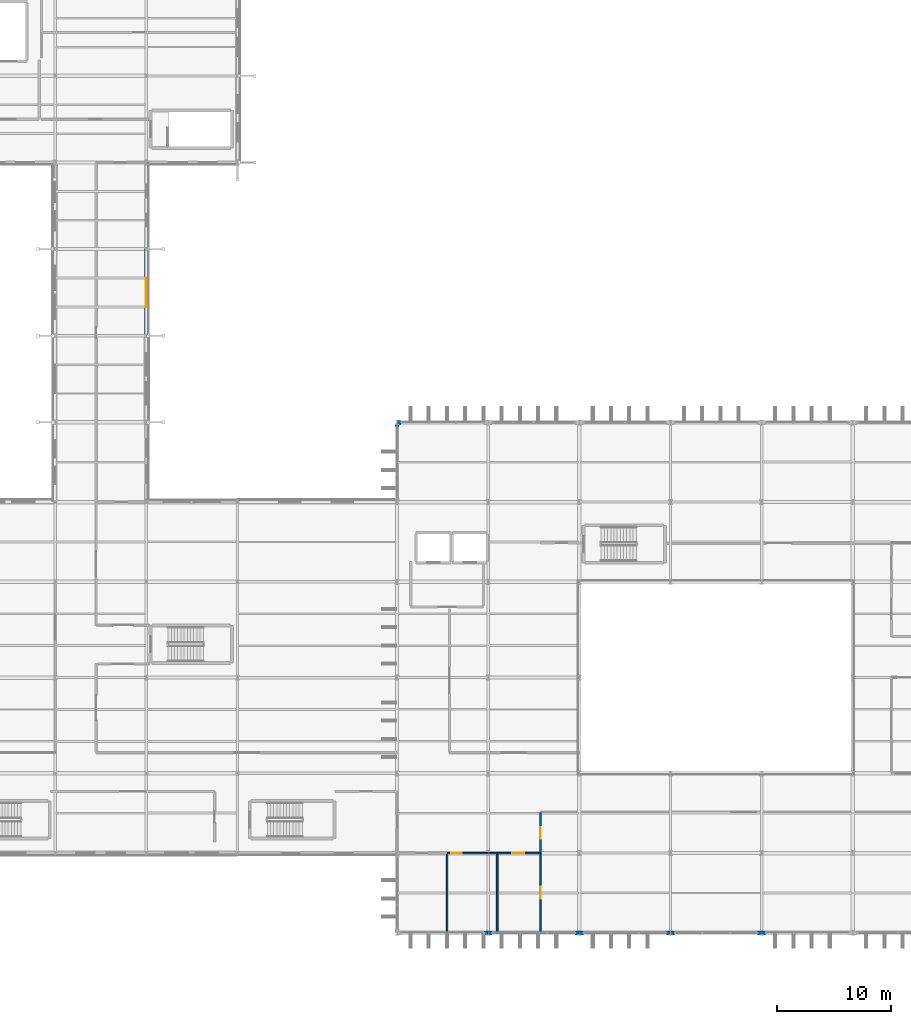
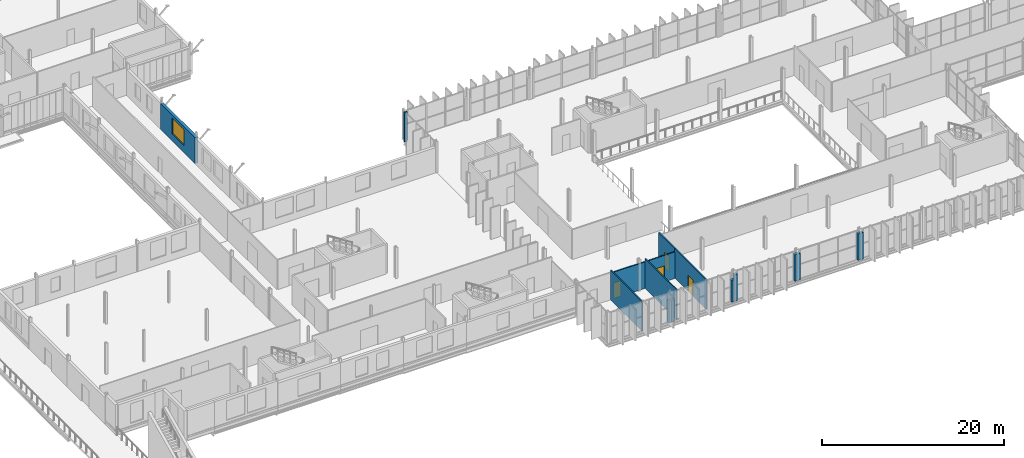
# One storey, part 81 of 101: 17 walls, 4 doors, 1 window, 5 openings.
"""IFC4 building model written with IfcOpenShell, lengths in metres."""

from ifc_helpers import new_model, si_unit, direction, frame, frame_2d, origin, place, context, subcontext, project, spatial, rectangle, extrude, material, layer, layer_set, type_object, element, fill, save


model = new_model("IFC4")

# Units and contexts
model_context = context("Model", 3, precision=1e-05, world=origin(), true_north=direction((0.0, 1.0)))
body_context = subcontext(model_context, "Body", "Model", "MODEL_VIEW")
ifc_project = project(units=[si_unit("LENGTHUNIT", "METRE"), si_unit("AREAUNIT", "SQUARE_METRE"), si_unit("VOLUMEUNIT", "CUBIC_METRE"), si_unit("PLANEANGLEUNIT", "RADIAN"), si_unit("MASSUNIT", "GRAM", prefix="KILO")], contexts=[model_context])

# Site, building, storey
site_placement = place(None, origin())
site = spatial("IfcSite", under=ifc_project, at=site_placement, CompositionType="ELEMENT")
building_placement = place(site_placement, origin())
building = spatial("IfcBuilding", under=site, at=building_placement, Name="Vekula Escarpment Museum", CompositionType="ELEMENT")
storey_placement = place(building_placement, frame((0.0, 0.0, 18.0)))
storey = spatial("IfcBuildingStorey", under=building, at=storey_placement, Name="L04", CompositionType="ELEMENT", Elevation=18.0)

# Walls
ifc_material_1 = material(Name="Inkisi arkosic sandstone masonry", Category="masonry")
ifc_layer_1 = layer(ifc_material_1, 0.35009765625)
ifc_layer_set_1 = layer_set([ifc_layer_1], Name="Inkisi arkosic sandstone masonry")
wall_type_1 = type_object("IfcWallType", Name="WL-ALM-350", PredefinedType="SOLIDWALL", material=ifc_layer_set_1)
for number, where, z_axis, x_axis, name in (
    (1, (77.639892578125, 45.60009765625, 0.0), (0.0, 0.0, 1.0), (1.0, 0.0, 0.0), "Facade Jamb Pier L04-0695B"),
    (2, (78.0, 45.60009765625, 0.0), (0.0, 0.0, 1.0), (1.0, 0.0, 0.0), "Facade Jamb Pier L04-0696A"),
    (3, (85.639892578125, 45.60009765625, 0.0), (0.0, 0.0, 1.0), (1.0, 0.0, 0.0), "Facade Jamb Pier L04-0697B"),
):
    element("IfcWall", number, at=place(storey_placement, frame(where, z_axis=z_axis, x_axis=x_axis)), inside=storey, type_object=wall_type_1, Name=name, PredefinedType="SOLIDWALL", context=body_context, shape_type="SweptSolid", body=[
        extrude(rectangle(XDim=0.360107421875, YDim=0.35009765625, at=frame_2d((0.18017578125, 0.0))), origin(), (0.0, 0.0, 1.0), 2.965087890625),
    ])
for number, where, z_axis, x_axis, name in (
    (4, (86.0, 45.60009765625, 0.0), (0.0, 0.0, 1.0), (1.0, 0.0, 0.0), "Facade Jamb Pier L04-0698A"),
    (5, (93.639892578125, 45.60009765625, 0.0), (0.0, 0.0, 1.0), (1.0, 0.0, 0.0), "Facade Jamb Pier L04-0699B"),
    (6, (94.0, 45.60009765625, 0.0), (0.0, 0.0, 1.0), (1.0, 0.0, 0.0), "Facade Jamb Pier L04-0700A"),
    (7, (101.639892578125, 45.60009765625, 0.0), (0.0, 0.0, 1.0), (1.0, 0.0, 0.0), "Facade Jamb Pier L04-0701B"),
    (8, (102.0, 45.60009765625, 0.0), (0.0, 0.0, 1.0), (1.0, 0.0, 0.0), "Facade Jamb Pier L04-0702A"),
):
    element("IfcWall", number, at=place(storey_placement, frame(where, z_axis=z_axis, x_axis=x_axis)), inside=storey, type_object=wall_type_1, Name=name, PredefinedType="SOLIDWALL", context=body_context, shape_type="SweptSolid", body=[
        extrude(rectangle(XDim=0.360107421875, YDim=0.35009765625, at=frame_2d((0.18017578125, 0.0))), origin(), (0.0, 0.0, 1.0), 3.574951171875),
    ])
wall_1_placement = place(storey_placement, frame((70.360107421875, 90.39990234375, 0.0), z_axis=(0.0, 0.0, 1.0), x_axis=(-1.0, 0.0, 0.0)))
element("IfcWall", 9, at=wall_1_placement, inside=storey, type_object=wall_type_1, Name="Facade Jamb Pier L04-0774B", PredefinedType="SOLIDWALL", context=body_context, shape_type="SweptSolid", body=[
    extrude(rectangle(XDim=0.360107421875, YDim=0.35009765625, at=frame_2d((0.18017578125, 0.0))), origin(), (0.0, 0.0, 1.0), 2.965087890625),
])
wall_2_placement = place(storey_placement, frame((70.0, 90.220947265625, 0.0), z_axis=(0.0, 0.0, 1.0), x_axis=(0.0, -1.0, 0.0)))
element("IfcWall", 10, at=wall_2_placement, inside=storey, type_object=wall_type_1, Name="Facade Jamb Pier L04-0775A", PredefinedType="SOLIDWALL", context=body_context, shape_type="SweptSolid", body=[
    extrude(rectangle(XDim=0.180908203125, YDim=0.35009765625, at=frame_2d((0.09033203125, 0.0))), origin(), (0.0, 0.0, 1.0), 3.97998046875),
])

# Wall, opening, window
wall_3_placement = place(storey_placement, frame((48.0, 105.60009765625, 0.0), z_axis=(0.0, 0.0, 1.0), x_axis=(0.0, -1.0, 0.0)))
wall_3 = element("IfcWall", 11, at=wall_3_placement, inside=storey, type_object=wall_type_1, Name="Exterior Wall WL-EXT-L04-0781", PredefinedType="SOLIDWALL", context=body_context, shape_type="SweptSolid", body=[
    extrude(rectangle(XDim=7.60009765625, YDim=0.35009765625, at=frame_2d((3.800048828125, 0.0))), origin(), (0.0, 0.0, 1.0), 3.485107421875),
])
opening_1_placement = place(wall_3_placement, frame((2.5, 0.0, 0.949951171875)))
opening_1 = element("IfcOpeningElement", 12, at=opening_1_placement, cuts=wall_3, Name="Opening WN-28", PredefinedType="OPENING", context=body_context, shape_type="SweptSolid", body=[
    extrude(rectangle(XDim=2.60009765625, YDim=2.1298828125, at=frame_2d((1.300048828125, 1.06494140625))), frame((0.0, 0.18505859375, 0.0), z_axis=(0.0, -1.0, 0.0), x_axis=(1.0, 0.0, 0.0)), (0.0, 0.0, 1.0), 0.3701171875),
])
ifc_material_2 = material(Name="Double solar-control low-E glass", Category="glass")
window_type = type_object("IfcWindowType", Name="WN-GAL-26x38", PartitioningType="TRIPLE_PANEL_VERTICAL", PredefinedType="WINDOW", material=ifc_material_2)
window_placement = place(opening_1_placement, origin())
window = element("IfcWindow", 13, at=window_placement, inside=storey, type_object=window_type, Name="Window L04-0410", OverallHeight=2.1298828125, OverallWidth=2.60009765625, PartitioningType="SINGLE_PANEL", PredefinedType="WINDOW", context=body_context, shape_type="SweptSolid", body=[
    extrude(rectangle(XDim=2.60009765625, YDim=2.1298828125, at=frame_2d((1.300048828125, 1.06494140625))), frame((0.0, 0.030029296875, 0.0), z_axis=(0.0, -1.0, 0.0), x_axis=(1.0, 0.0, 0.0)), (0.0, 0.0, 1.0), 0.06005859375),
])
fill(opening_1, window)

# Wall, opening, door
ifc_material_3 = material(Name="Moisture-resistant wet-room partition", Category="gypsum")
ifc_layer_2 = layer(ifc_material_3, 0.139892578125)
ifc_layer_set_2 = layer_set([ifc_layer_2], Name="Moisture-resistant wet-room partition")
wall_type_2 = type_object("IfcWallType", Name="WL-PART-140", PredefinedType="PARTITIONING", material=ifc_layer_set_2)
wall_4_placement = place(storey_placement, frame((82.60009765625, 45.60009765625, 0.0), z_axis=(0.0, 0.0, 1.0), x_axis=(0.0, 1.0, 0.0)))
wall_4 = element("IfcWall", 14, at=wall_4_placement, inside=storey, type_object=wall_type_2, Name="Interior Partition WL-INT-L04-0032", PredefinedType="PARTITIONING", context=body_context, shape_type="SweptSolid", body=[
    extrude(rectangle(XDim=7.0, YDim=0.139892578125, at=frame_2d((3.5, 0.0))), origin(), (0.0, 0.0, 1.0), 3.97998046875),
])
opening_2_placement = place(wall_4_placement, frame((2.97509765625, 0.0, 0.0)))
opening_2 = element("IfcOpeningElement", 15, at=opening_2_placement, cuts=wall_4, Name="Opening DR-PM10", PredefinedType="OPENING", context=body_context, shape_type="SweptSolid", body=[
    extrude(rectangle(XDim=1.050048828125, YDim=2.14990234375, at=frame_2d((0.52490234375, 1.074951171875))), frame((0.0, 0.079833984375, 0.0), z_axis=(0.0, -1.0, 0.0), x_axis=(1.0, 0.0, 0.0)), (0.0, 0.0, 1.0), 0.159912109375),
])
ifc_material_4 = material(Name="Accessible PMR washroom door", Category="steel")
door_type_1 = type_object("IfcDoorType", Name="DR-PMR-1050x2150", OperationType="NOTDEFINED", PredefinedType="DOOR", material=ifc_material_4)
door_1_placement = place(opening_2_placement, origin())
door_1 = element("IfcDoor", 16, at=door_1_placement, inside=storey, type_object=door_type_1, Name="Interior Door L04-030", OperationType="SINGLE_SWING_RIGHT", OverallHeight=2.14990234375, OverallWidth=1.050048828125, PredefinedType="DOOR", context=body_context, shape_type="SweptSolid", body=[
    extrude(rectangle(XDim=1.050048828125, YDim=2.14990234375, at=frame_2d((0.52490234375, 1.074951171875))), frame((0.0, 0.02490234375, 0.0), z_axis=(0.0, -1.0, 0.0), x_axis=(1.0, 0.0, 0.0)), (0.0, 0.0, 1.0), 0.050048828125),
])
fill(opening_2, door_1)

wall_5_placement = place(storey_placement, frame((74.39990234375, 52.60009765625, 0.0), z_axis=(0.0, 0.0, 1.0), x_axis=(1.0, 0.0, 0.0)))
wall_5 = element("IfcWall", 17, at=wall_5_placement, inside=storey, type_object=wall_type_2, Name="Interior Partition WL-INT-L04-0038", PredefinedType="PARTITIONING", context=body_context, shape_type="SweptSolid", body=[
    extrude(rectangle(XDim=4.400146484375, YDim=0.139892578125, at=frame_2d((2.2001953125, 0.0))), origin(), (0.0, 0.0, 1.0), 3.56494140625),
])
opening_3_placement = place(wall_5_placement, frame((0.35009765625, 0.0, 0.0)))
opening_3 = element("IfcOpeningElement", 18, at=opening_3_placement, cuts=wall_5, Name="Opening DR-WC09", PredefinedType="OPENING", context=body_context, shape_type="SweptSolid", body=[
    extrude(rectangle(XDim=0.949951171875, YDim=2.10009765625, at=frame_2d((0.47509765625, 1.050048828125))), frame((0.0, 0.079833984375, 0.0), z_axis=(0.0, -1.0, 0.0), x_axis=(1.0, 0.0, 0.0)), (0.0, 0.0, 1.0), 0.159912109375),
])
ifc_material_5 = material(Name="Laminate washroom door", Category="wood")
door_type_2 = type_object("IfcDoorType", Name="DR-WC-0950x2100", OperationType="NOTDEFINED", PredefinedType="DOOR", material=ifc_material_5)
door_2_placement = place(opening_3_placement, origin())
door_2 = element("IfcDoor", 19, at=door_2_placement, inside=storey, type_object=door_type_2, Name="Interior Door L04-036", OperationType="SINGLE_SWING_RIGHT", OverallHeight=2.10009765625, OverallWidth=0.949951171875, PredefinedType="DOOR", context=body_context, shape_type="SweptSolid", body=[
    extrude(rectangle(XDim=0.949951171875, YDim=2.10009765625, at=frame_2d((0.47509765625, 1.050048828125))), frame((0.0, 0.02490234375, 0.0), z_axis=(0.0, -1.0, 0.0), x_axis=(1.0, 0.0, 0.0)), (0.0, 0.0, 1.0), 0.050048828125),
])
fill(opening_3, door_2)

wall_6_placement = place(storey_placement, frame((78.800048828125, 52.60009765625, 0.0), z_axis=(0.0, 0.0, 1.0), x_axis=(1.0, 0.0, 0.0)))
wall_6 = element("IfcWall", 20, at=wall_6_placement, inside=storey, type_object=wall_type_2, Name="Interior Partition WL-INT-L04-0039", PredefinedType="PARTITIONING", context=body_context, shape_type="SweptSolid", body=[
    extrude(rectangle(XDim=3.716064453125, YDim=0.139892578125, at=frame_2d((1.85791015625, 0.0))), origin(), (0.0, 0.0, 1.0), 3.56494140625),
])
opening_4_placement = place(wall_6_placement, frame((1.3330078125, 0.0, 0.0)))
opening_4 = element("IfcOpeningElement", 21, at=opening_4_placement, cuts=wall_6, Name="Opening DR-PM10", PredefinedType="OPENING", context=body_context, shape_type="SweptSolid", body=[
    extrude(rectangle(XDim=1.050048828125, YDim=2.14990234375, at=frame_2d((0.52490234375, 1.074951171875))), frame((0.0, 0.079833984375, 0.0), z_axis=(0.0, -1.0, 0.0), x_axis=(1.0, 0.0, 0.0)), (0.0, 0.0, 1.0), 0.159912109375),
])
door_3_placement = place(opening_4_placement, origin())
door_3 = element("IfcDoor", 22, at=door_3_placement, inside=storey, type_object=door_type_1, Name="Interior Door L04-037", OperationType="SINGLE_SWING_LEFT", OverallHeight=2.14990234375, OverallWidth=1.050048828125, PredefinedType="DOOR", context=body_context, shape_type="SweptSolid", body=[
    extrude(rectangle(XDim=1.050048828125, YDim=2.14990234375, at=frame_2d((0.52490234375, 1.074951171875))), frame((0.0, 0.02490234375, 0.0), z_axis=(0.0, -1.0, 0.0), x_axis=(1.0, 0.0, 0.0)), (0.0, 0.0, 1.0), 0.050048828125),
])
fill(opening_4, door_3)

# Walls
for number, where, z_axis, x_axis, name in (
    (23, (74.39990234375, 45.60009765625, 0.0), (0.0, 0.0, 1.0), (0.0, 1.0, 0.0), "Interior Partition WL-INT-L04-0040"),
    (24, (78.800048828125, 45.60009765625, 0.0), (0.0, 0.0, 1.0), (0.0, 1.0, 0.0), "Interior Partition WL-INT-L04-0041"),
):
    element("IfcWall", number, at=place(storey_placement, frame(where, z_axis=z_axis, x_axis=x_axis)), inside=storey, type_object=wall_type_2, Name=name, PredefinedType="PARTITIONING", context=body_context, shape_type="SweptSolid", body=[
        extrude(rectangle(XDim=6.92578125, YDim=0.139892578125, at=frame_2d((3.462890625, 0.0))), origin(), (0.0, 0.0, 1.0), 3.97998046875),
    ])

# Wall, opening, door
ifc_material_6 = material(Name="Gypsum board gallery partition", Category="gypsum")
ifc_layer_3 = layer(ifc_material_6, 0.159912109375)
ifc_layer_set_3 = layer_set([ifc_layer_3], Name="Gypsum board gallery partition")
wall_type_3 = type_object("IfcWallType", Name="WL-PART-160", PredefinedType="PARTITIONING", material=ifc_layer_set_3)
wall_7_placement = place(storey_placement, frame((82.60009765625, 52.60009765625, 0.0), z_axis=(0.0, 0.0, 1.0), x_axis=(0.0, 1.0, 0.0)))
wall_7 = element("IfcWall", 25, at=wall_7_placement, inside=storey, type_object=wall_type_3, Name="Interior Partition WL-INT-L04-0031", PredefinedType="PARTITIONING", context=body_context, shape_type="SweptSolid", body=[
    extrude(rectangle(XDim=3.535888671875, YDim=0.159912109375, at=frame_2d((1.76806640625, 0.0))), origin(), (0.0, 0.0, 1.0), 3.97998046875),
])
opening_5_placement = place(wall_7_placement, frame((1.26806640625, 0.0, 0.0)))
opening_5 = element("IfcOpeningElement", 26, at=opening_5_placement, cuts=wall_7, Name="Opening DR-OF10", PredefinedType="OPENING", context=body_context, shape_type="SweptSolid", body=[
    extrude(rectangle(XDim=1.0, YDim=2.14990234375, at=frame_2d((0.5, 1.074951171875))), frame((0.0, 0.08984375, 0.0), z_axis=(0.0, -1.0, 0.0), x_axis=(1.0, 0.0, 0.0)), (0.0, 0.0, 1.0), 0.179931640625),
])
ifc_material_7 = material(Name="Solid core timber study door", Category="wood")
door_type_3 = type_object("IfcDoorType", Name="DR-OFF-1000x2150", OperationType="NOTDEFINED", PredefinedType="DOOR", material=ifc_material_7)
door_4_placement = place(opening_5_placement, origin())
door_4 = element("IfcDoor", 27, at=door_4_placement, inside=storey, type_object=door_type_3, Name="Interior Door L04-029", OperationType="SINGLE_SWING_LEFT", OverallHeight=2.14990234375, OverallWidth=1.0, PredefinedType="DOOR", context=body_context, shape_type="SweptSolid", body=[
    extrude(rectangle(XDim=1.0, YDim=2.14990234375, at=frame_2d((0.5, 1.074951171875))), frame((0.0, 0.02490234375, 0.0), z_axis=(0.0, -1.0, 0.0), x_axis=(1.0, 0.0, 0.0)), (0.0, 0.0, 1.0), 0.050048828125),
])
fill(opening_5, door_4)

save(model, "model.ifc")
